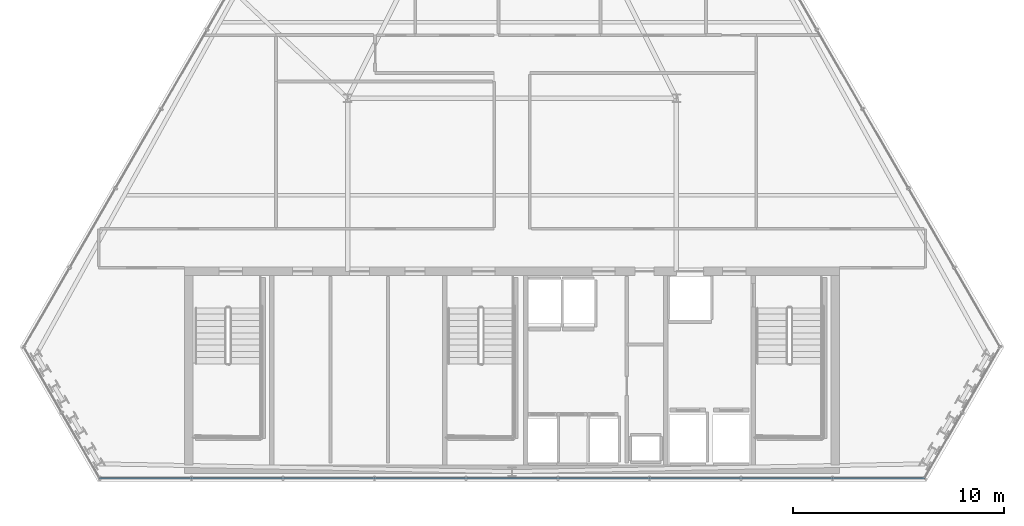
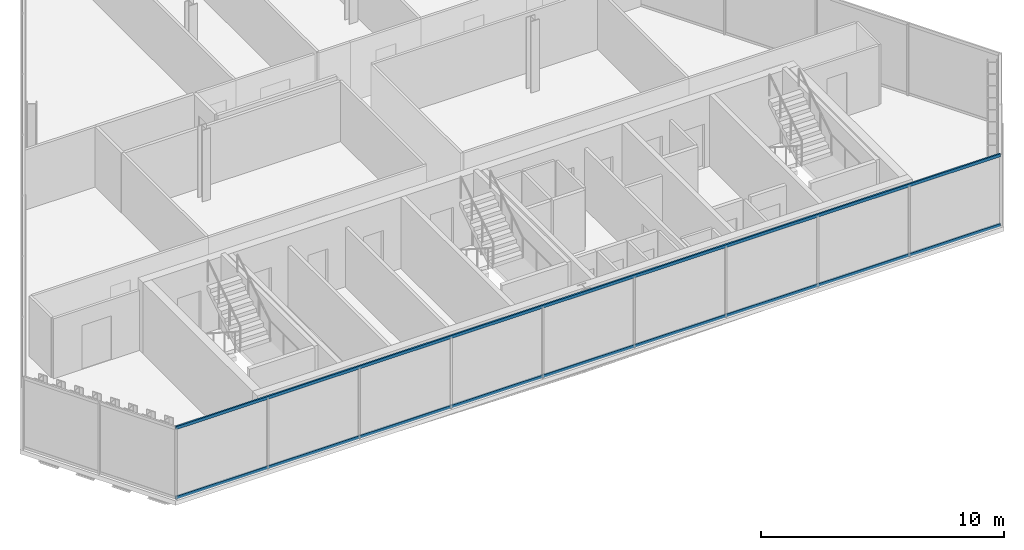
# One storey, part 7 of 29: 2 members, 1 element without a shape of its own.
"""IFC4 building model written with IfcOpenShell, lengths in metres."""

from ifc_helpers import new_model, si_unit, direction, frame, origin, origin_2d, place, context, subcontext, project, spatial, hollow_rectangle, extrude, material, layer, layer_set, material_profile, profile_set, type_object, element, aggregate, save


model = new_model("IFC4")

# Units and contexts
model_context = context("Model", 3, precision=1e-05, world=origin(), true_north=direction((0.0, 1.0)))
body_context = subcontext(model_context, "Body", "Model", "MODEL_VIEW")
ifc_project = project(units=[si_unit("LENGTHUNIT", "METRE"), si_unit("AREAUNIT", "SQUARE_METRE"), si_unit("VOLUMEUNIT", "CUBIC_METRE"), si_unit("PLANEANGLEUNIT", "RADIAN"), si_unit("MASSUNIT", "GRAM", prefix="KILO")], contexts=[model_context])

# Site, building, storey
site_placement = place(None, origin())
site = spatial("IfcSite", under=ifc_project, at=site_placement, CompositionType="ELEMENT")
building_placement = place(site_placement, origin())
building = spatial("IfcBuilding", under=site, at=building_placement, Name="Ndaravel Arena Tower", CompositionType="ELEMENT")
storey_placement = place(building_placement, frame((0.0, 0.0, 233.199951171875)))
storey = spatial("IfcBuildingStorey", under=building, at=storey_placement, Name="L56", CompositionType="ELEMENT", Elevation=233.199951171875)

# Curtain wall, members
ifc_material_1 = material(Name="Aluminium", Category="aluminium")
ifc_layer = layer(ifc_material_1, 0.179931640625)
ifc_layer_set = layer_set([ifc_layer], Name="Aluminium")
curtain_wall_type = type_object("IfcCurtainWallType", Name="CW-SYS-03", PredefinedType="NOTDEFINED", material=ifc_layer_set)
curtain_wall_placement = place(storey_placement, origin())
curtain_wall = element("IfcCurtainWall", 1, at=curtain_wall_placement, inside=storey, type_object=curtain_wall_type, Name="L56 Faceted Crystal Curtain Wall CW-L56-E01", PredefinedType="NOTDEFINED")
ifc_material_2 = material(Name="Aluminium", Category="aluminium")
ifc_material_profile = material_profile(ifc_material_2, hollow_rectangle(XDim=0.074951171875, YDim=0.14990234375, WallThickness=0.00390625, at=origin_2d()), Name="CW TRANSOM 75x150x4")
ifc_profile_set = profile_set([ifc_material_profile], Name="Aluminium")
member_type = type_object("IfcMemberType", Name="MEM-CW-TRN150", PredefinedType="USERDEFINED", material=ifc_profile_set)
member_1_placement = place(storey_placement, frame((22.431396484375, 5.159912109375, 0.0400390625), z_axis=(1.0, 0.0, 0.0), x_axis=(0.0, 1.0, 0.0)))
member_1 = element("IfcMember", 2, at=member_1_placement, type_object=member_type, Name="CW-L56-E01 Transom 01", ObjectType="TRANSOM", PredefinedType="USERDEFINED", context=body_context, shape_type="SweptSolid", body=[
    extrude(hollow_rectangle(XDim=0.074951171875, YDim=0.14990234375, WallThickness=0.00390625, at=origin_2d()), origin(), (0.0, 0.0, 1.0), 39.13720703125),
])
member_2_placement = place(storey_placement, frame((22.431396484375, 5.159912109375, 3.5400390625), z_axis=(1.0, 0.0, 0.0), x_axis=(0.0, 1.0, 0.0)))
member_2 = element("IfcMember", 3, at=member_2_placement, type_object=member_type, Name="CW-L56-E01 Transom 02", ObjectType="TRANSOM", PredefinedType="USERDEFINED", context=body_context, shape_type="SweptSolid", body=[
    extrude(hollow_rectangle(XDim=0.074951171875, YDim=0.14990234375, WallThickness=0.00390625, at=origin_2d()), origin(), (0.0, 0.0, 1.0), 39.13720703125),
])
aggregate(curtain_wall, [member_1, member_2])

save(model, "model.ifc")
